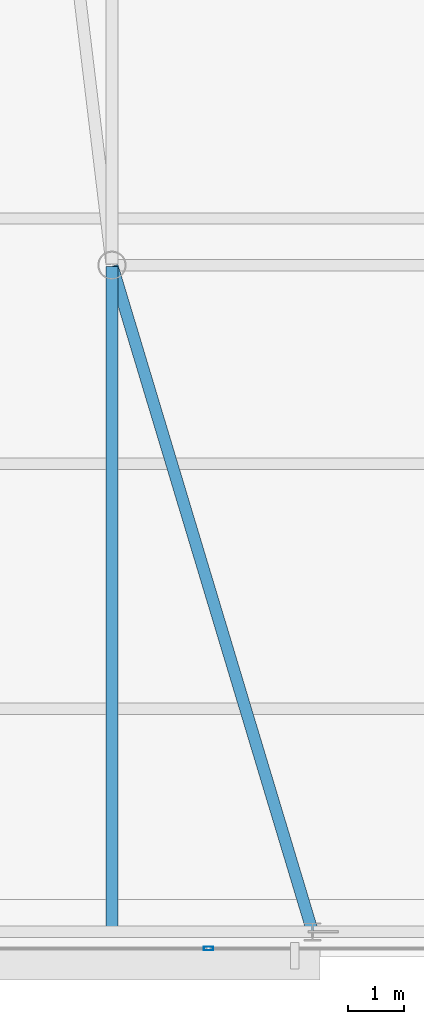
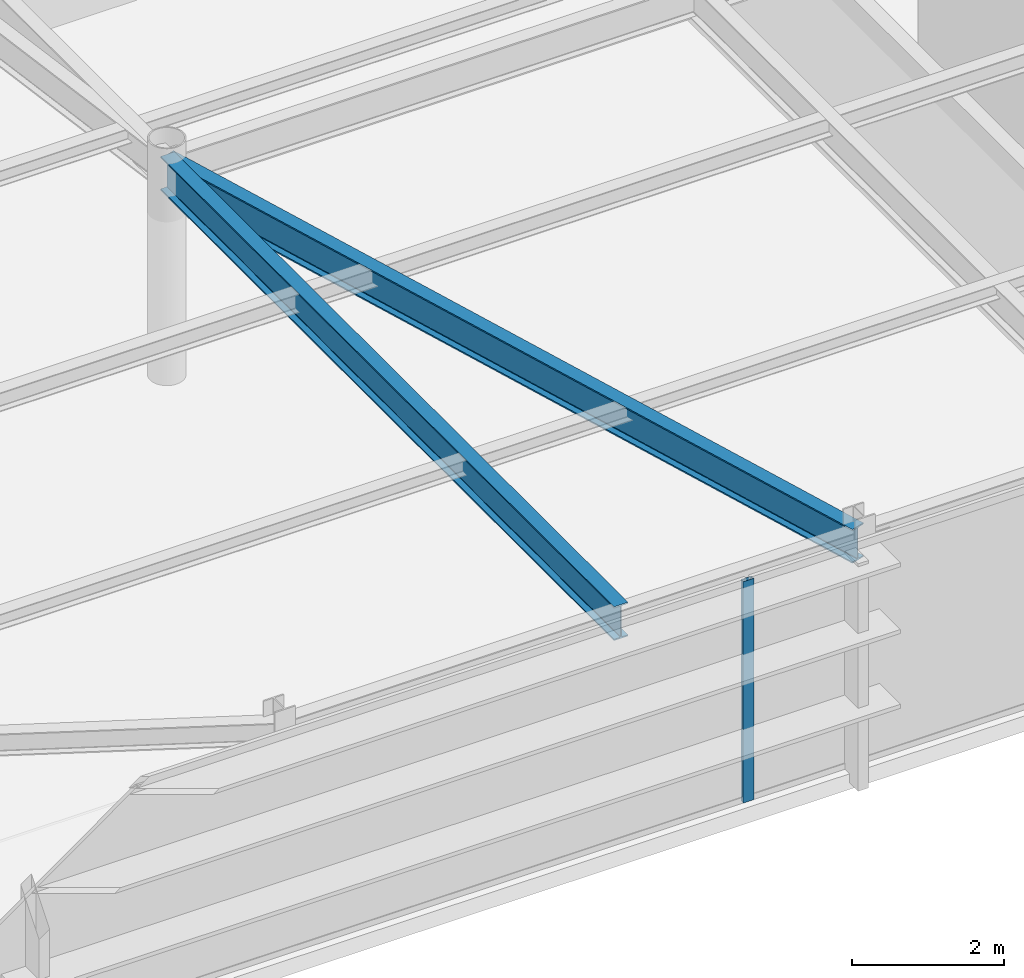
# One storey, part 6 of 24: 2 beams, 1 member, 1 element without a shape of its own.
"""IFC4 building model written with IfcOpenShell, lengths in metres."""

from ifc_helpers import new_model, si_unit, direction, frame, origin, origin_2d, place, context, subcontext, project, spatial, hollow_rectangle, i_section, extrude, source, transform, mapped, material, layer, layer_set, material_profile, profile_set, type_object, type_shapes, element, aggregate, save


model = new_model("IFC4")

# Units and contexts
model_context = context("Model", 3, precision=1e-05, world=origin(), true_north=direction((0.0, 1.0)))
body_context = subcontext(model_context, "Body", "Model", "MODEL_VIEW")
ifc_project = project(units=[si_unit("LENGTHUNIT", "METRE"), si_unit("AREAUNIT", "SQUARE_METRE"), si_unit("VOLUMEUNIT", "CUBIC_METRE"), si_unit("PLANEANGLEUNIT", "RADIAN"), si_unit("MASSUNIT", "GRAM", prefix="KILO")], contexts=[model_context])

# Site, building, storey
site_placement = place(None, origin())
site = spatial("IfcSite", under=ifc_project, at=site_placement, CompositionType="ELEMENT")
building_placement = place(site_placement, origin())
building = spatial("IfcBuilding", under=site, at=building_placement, Name="Varnel Quay Broadcast Tower", CompositionType="ELEMENT")
storey_placement = place(building_placement, frame((0.0, 0.0, 285.0)))
storey = spatial("IfcBuildingStorey", under=building, at=storey_placement, Name="L71", CompositionType="ELEMENT", Elevation=285.0)

# Beams
ifc_material_1 = material(Name="Structural Steel CSA G40.21 350W", Category="steel")
ifc_material_profile_1 = material_profile(ifc_material_1, i_section(OverallWidth=0.2119140625, OverallDepth=0.5439453125, WebThickness=0.01318359375, FlangeThickness=0.021240234375, FilletRadius=0.013916015625, at=origin_2d()), Name="W530X123")
ifc_profile_set_1 = profile_set([ifc_material_profile_1], Name="Structural Steel CSA G40.21 350W")
beam_type = type_object("IfcBeamType", Name="Girder_W530X123", PredefinedType="BEAM", material=ifc_profile_set_1)
shared_shape_1 = source(origin(), body_context, "Body", "SweptSolid", [
    extrude(i_section(OverallWidth=0.2119140625, OverallDepth=0.5439453125, WebThickness=0.01318359375, FlangeThickness=0.021240234375, FilletRadius=0.013916015625, at=origin_2d()), origin(), (0.0, 0.0, 1.0), 12.449951171875),
])
beam_1_placement = place(storey_placement, frame((29.59423828125, 13.669189453125, 3.278076171875), z_axis=(-0.28822390679, 0.957563042078, 0.0), x_axis=(-0.957563042078, -0.28822390679, 0.0)))
element("IfcBeam", 1, at=beam_1_placement, inside=storey, type_object=beam_type, Name="L71 Primary Girder TC-S2-IC-01", PredefinedType="BEAM", context=body_context, shape_type="MappedRepresentation", body=[
    mapped(shared_shape_1, transform((0.0, 0.0, 0.0), x_axis=(1.0, 0.0, 0.0), y_axis=(0.0, 1.0, 0.0), z_axis=(0.0, 0.0, 1.0), scale=1.0)),
])
shared_shape_2 = source(origin(), body_context, "Body", "SweptSolid", [
    extrude(i_section(OverallWidth=0.2119140625, OverallDepth=0.5439453125, WebThickness=0.01318359375, FlangeThickness=0.021240234375, FilletRadius=0.013916015625, at=origin_2d()), origin(), (0.0, 0.0, 1.0), 11.920166015625),
])
type_shapes(beam_type, [shared_shape_1, shared_shape_2])
beam_2_placement = place(storey_placement, frame((26.0, 13.669921875, 3.278076171875), z_axis=(0.0, 1.0, 0.0), x_axis=(-1.0, 0.0, 0.0)))
element("IfcBeam", 2, at=beam_2_placement, inside=storey, type_object=beam_type, Name="L71 N-S Joist Header IC-01S", PredefinedType="BEAM", context=body_context, shape_type="MappedRepresentation", body=[
    mapped(shared_shape_2, transform((0.0, 0.0, 0.0), x_axis=(1.0, 0.0, 0.0), y_axis=(0.0, 1.0, 0.0), z_axis=(0.0, 0.0, 1.0), scale=1.0)),
])

# Curtain wall, member
ifc_material_2 = material(Name="Anodised Bronze Aluminium 6063-T6", Category="aluminium")
ifc_layer = layer(ifc_material_2, 0.18994140625, Name="Anodised Bronze Aluminium 6063-T6")
ifc_layer_set = layer_set([ifc_layer], Name="Anodised Bronze Aluminium 6063-T6")
curtain_wall_type = type_object("IfcCurtainWallType", Name="CW_UpperTower", PredefinedType="NOTDEFINED", material=ifc_layer_set)
curtain_wall_placement = place(storey_placement, origin())
curtain_wall = element("IfcCurtainWall", 3, at=curtain_wall_placement, inside=storey, type_object=curtain_wall_type, Name="L71 South Unitised Curtain Wall 1", PredefinedType="NOTDEFINED")
ifc_material_profile_2 = material_profile(ifc_material_2, hollow_rectangle(XDim=0.06494140625, YDim=0.1650390625, WallThickness=0.00341796875, at=origin_2d()), Name="ALU65X165X3.5")
ifc_profile_set_2 = profile_set([ifc_material_profile_2], Name="Anodised Bronze Aluminium 6063-T6")
member_type = type_object("IfcMemberType", Name="Mull_CWS-03", PredefinedType="MULLION", material=ifc_profile_set_2)
shared_shape_3 = source(origin(), body_context, "Body", "SweptSolid", [
    extrude(hollow_rectangle(XDim=0.06494140625, YDim=0.1650390625, WallThickness=0.00341796875, at=origin_2d()), origin(), (0.0, 0.0, 1.0), 3.550048828125),
])
type_shapes(member_type, [shared_shape_3])
member_placement = place(storey_placement, frame((27.7333984375, 13.35009765625, 0.0), z_axis=(0.0, 0.0, 1.0), x_axis=(0.0, 1.0, 0.0)))
member = element("IfcMember", 4, at=member_placement, type_object=member_type, Name="CWS-03 mullion 2", PredefinedType="MULLION", context=body_context, shape_type="MappedRepresentation", body=[
    mapped(shared_shape_3, transform((0.0, 0.0, 0.0), x_axis=(1.0, 0.0, 0.0), y_axis=(0.0, 1.0, 0.0), z_axis=(0.0, 0.0, 1.0), scale=1.0)),
])
aggregate(curtain_wall, [member])

save(model, "model.ifc")
